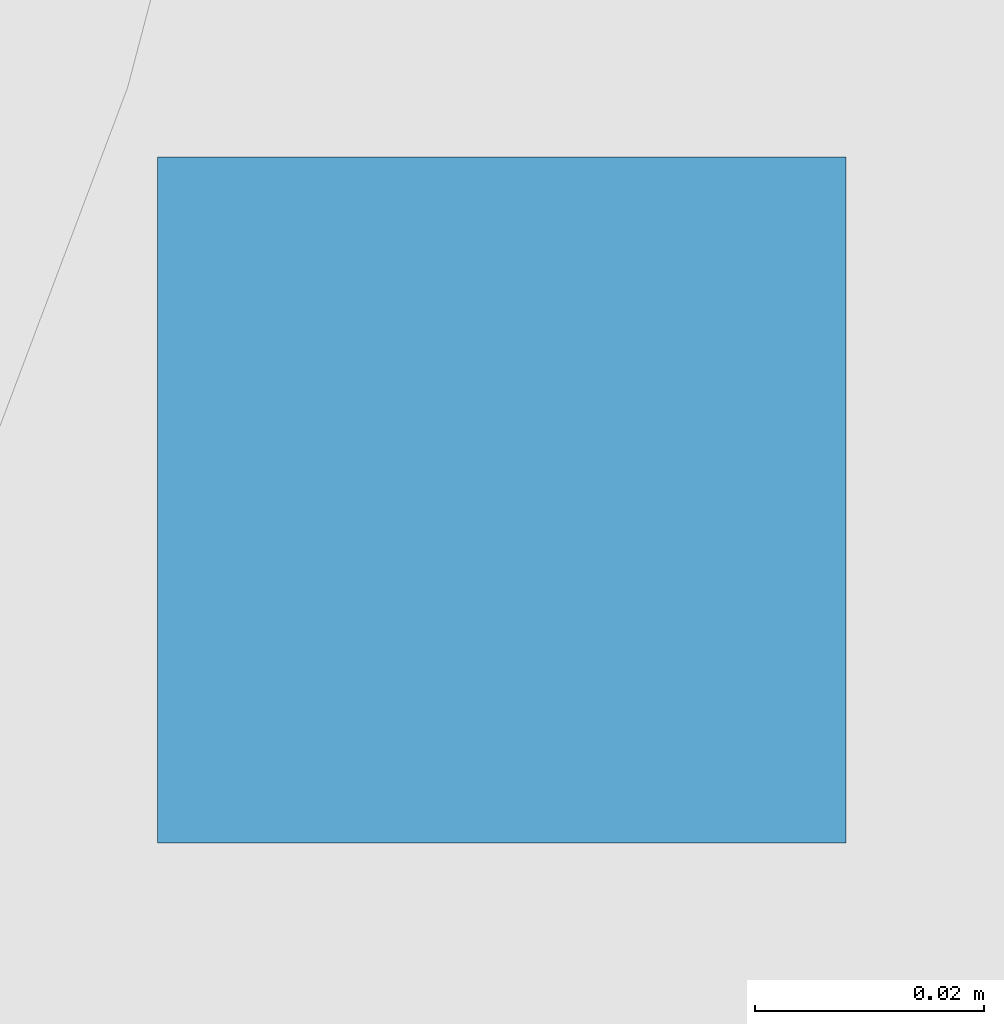
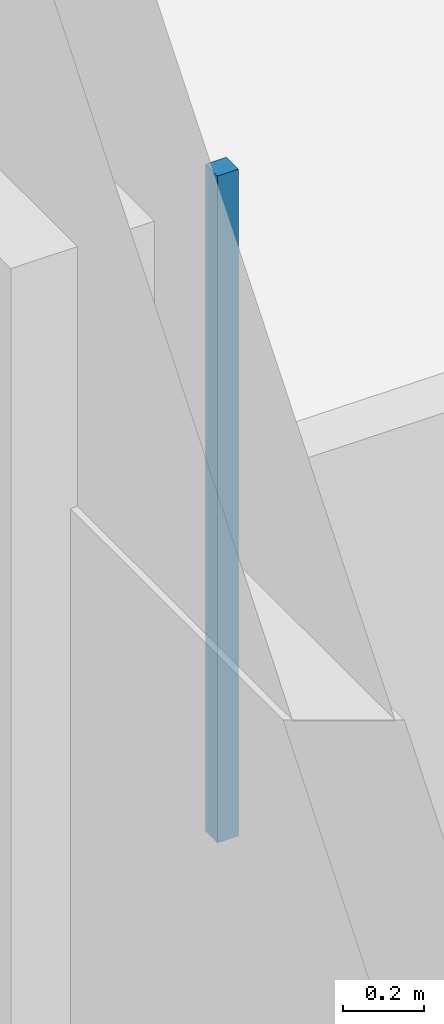
# One storey, part 74 of 111: 1 discrete accessory.
"""IFC4 building model written with IfcOpenShell, lengths in metres."""

import ifcopenshell
import ifcopenshell.guid

model = None  # the IFC model being written
_history = None  # IfcOwnerHistory: only IFC2X3 demands one
_inside = {}  # id of a spatial element -> (the spatial element, [elements in it])
_under = {}  # id of a project, library or spatial element -> (it, [spatial elements below it])
_declared = {}  # id of a project -> (the project, [libraries it declares])
_typed = {}  # id of a type object -> (the type object, [elements of that type])
_made_of = {}  # id of a material, layer set ... -> (it, [elements and type objects made of it])


def new_model(schema):
    """Start an empty IFC model of exactly this schema.

    Asked for "IFC4X3", IfcOpenShell would pick the latest addendum, in which some entities
    have other attributes; the version numbers below select the first issue.
    IFC2X3 requires an IfcOwnerHistory on every rooted entity: one is made here for all.
    """
    global model, _history
    if schema == "IFC4X3":
        model = ifcopenshell.file(schema_version=(4, 3, 0, 0))
    else:
        model = ifcopenshell.file(schema=schema)
    _inside.clear()
    _under.clear()
    _declared.clear()
    _typed.clear()
    _made_of.clear()
    _history = None
    if model.schema == "IFC2X3":
        org = make("IfcOrganization", Name="unknown")
        user = make(
            "IfcPersonAndOrganization",
            ThePerson=make("IfcPerson", FamilyName="unknown"),
            TheOrganization=org,
        )
        app = make(
            "IfcApplication",
            ApplicationDeveloper=org,
            Version="unknown",
            ApplicationFullName="unknown",
            ApplicationIdentifier="unknown",
        )
        _history = make(
            "IfcOwnerHistory",
            OwningUser=user,
            OwningApplication=app,
            ChangeAction="ADDED",
            CreationDate=0,
        )
    return model


def make(cls, **values):
    """One entity of the class cls with the attributes given. An attribute that is None is left unset."""
    return model.create_entity(
        cls, **{name: value for name, value in values.items() if value is not None}
    )


def rooted(cls, **values):
    """An entity with a GlobalId (a new one), such as an element, a storey or a relation."""
    return make(cls, GlobalId=ifcopenshell.guid.new(), OwnerHistory=_history, **values)


def si_unit(unit_type, name, prefix=None):
    """IfcSIUnit, for example si_unit("LENGTHUNIT", "METRE", prefix="MILLI")."""
    return make("IfcSIUnit", UnitType=unit_type, Prefix=prefix, Name=name)


def assignment(units):
    """IfcUnitAssignment: the units of a project."""
    return None if units is None else make("IfcUnitAssignment", Units=units)


def point(xyz):
    """IfcCartesianPoint."""
    return None if xyz is None else make("IfcCartesianPoint", Coordinates=xyz)


def direction(xyz):
    """IfcDirection."""
    return None if xyz is None else make("IfcDirection", DirectionRatios=xyz)


def frame(location, z_axis=None, x_axis=None):
    """IfcAxis2Placement3D, a coordinate frame: its origin and axes. An axis left out is left unset."""
    return make(
        "IfcAxis2Placement3D",
        Location=point(location),
        Axis=direction(z_axis),
        RefDirection=direction(x_axis),
    )


def origin():
    """The frame at (0, 0, 0) with its axes left unset."""
    return frame((0.0, 0.0, 0.0))


def place(relative_to, where):
    """IfcLocalPlacement: puts the frame where relative to a parent placement (None: the world)."""
    return make(
        "IfcLocalPlacement", PlacementRelTo=relative_to, RelativePlacement=where
    )


def context(
    kind, dimensions, precision=None, world=None, true_north=None, identifier=None
):
    """IfcGeometricRepresentationContext, for example the 3D "Model" context."""
    return make(
        "IfcGeometricRepresentationContext",
        ContextIdentifier=identifier,
        ContextType=kind,
        CoordinateSpaceDimension=dimensions,
        Precision=precision,
        WorldCoordinateSystem=world,
        TrueNorth=true_north,
    )


def subcontext(parent, identifier, kind, view, scale=None):
    """IfcGeometricRepresentationSubContext, for example "Body" below "Model"."""
    return make(
        "IfcGeometricRepresentationSubContext",
        ContextIdentifier=identifier,
        ContextType=kind,
        ParentContext=parent,
        TargetScale=scale,
        TargetView=view,
    )


def project(units=None, contexts=None):
    """IfcProject with its units and contexts."""
    return rooted(
        "IfcProject",
        Name="project",
        RepresentationContexts=contexts,
        UnitsInContext=assignment(units),
    )


def spatial(cls, under=None, at=None, **own):
    """A site, building, storey or space (cls), placed at a placement, below another one or the project."""
    s = rooted(cls, ObjectPlacement=at, **own)
    if under is not None:
        _under.setdefault(under.id(), (under, []))[1].append(s)
    return s


def polyline(points):
    """IfcPolyline through the points."""
    return make("IfcPolyline", Points=[point(p) for p in points])


def outline(outer, holes=None, kind="AREA"):
    """IfcArbitraryClosedProfileDef: a profile drawn as a closed curve; with holes, ...WithVoids."""
    if holes is None:
        return make("IfcArbitraryClosedProfileDef", ProfileType=kind, OuterCurve=outer)
    return make(
        "IfcArbitraryProfileDefWithVoids",
        ProfileType=kind,
        OuterCurve=outer,
        InnerCurves=holes,
    )


def extrude(swept, where, along, depth):
    """IfcExtrudedAreaSolid: the profile swept, set in the frame where, extruded along a direction by depth."""
    return make(
        "IfcExtrudedAreaSolid",
        SweptArea=swept,
        Position=where,
        ExtrudedDirection=direction(along),
        Depth=depth,
    )


def shape(context_of_items, identifier, shape_type, items):
    """IfcShapeRepresentation: the items that make up one representation, for example the "Body"."""
    return make(
        "IfcShapeRepresentation",
        ContextOfItems=context_of_items,
        RepresentationIdentifier=identifier,
        RepresentationType=shape_type,
        Items=items,
    )


def material(Name=None, Category=None):
    """IfcMaterial."""
    return make("IfcMaterial", Name=Name, Category=Category)


def made_of(thing, what):
    """Note that an element or type object is made of a material, layer set ...; save() writes the relation."""
    if what is not None:
        _made_of.setdefault(what.id(), (what, []))[1].append(thing)
    return thing


def type_object(cls, material=None, **own):
    """A type object (cls), such as IfcWallType, which elements share."""
    return made_of(rooted(cls, **own), material)


def element(
    cls,
    number,
    at=None,
    inside=None,
    cuts=None,
    type_object=None,
    material=None,
    context=None,
    identifier="Body",
    shape_type=None,
    held_by="IfcProductDefinitionShape",
    body=None,
    shapes=None,
    **own,
):
    """One element of the class cls, such as IfcWall. Its Tag is "e" and its number.

    at: its placement. inside: the storey or other place that contains it. cuts: it is an
    opening in that element (IfcRelVoidsElement). A single representation is given by context,
    identifier, shape_type and body (its items); several are given by shapes. held_by: the class
    of the entity that holds the representations. save() writes the other relations.
    """
    e = rooted(cls, Tag="e%d" % number, ObjectPlacement=at, **own)
    if body is not None:
        shapes = [shape(context, identifier, shape_type, body)]
    if shapes is not None:
        e.Representation = make(held_by, Representations=shapes)
    if inside is not None:
        _inside.setdefault(inside.id(), (inside, []))[1].append(e)
    if cuts is not None:
        rooted(
            "IfcRelVoidsElement", RelatingBuildingElement=cuts, RelatedOpeningElement=e
        )
    if type_object is not None:
        _typed.setdefault(type_object.id(), (type_object, []))[1].append(e)
    return made_of(e, material)


def aggregate(whole, parts):
    """IfcRelAggregates: a whole, such as a stair, and the parts it consists of."""
    return rooted("IfcRelAggregates", RelatingObject=whole, RelatedObjects=parts)


def save(model, path):
    """Write the relations noted so far, then the file.

    IfcRelAggregates (storeys below a building ...), IfcRelContainedInSpatialStructure (elements
    in a storey), IfcRelDefinesByType, IfcRelAssociatesMaterial and IfcRelDeclares: one each for
    every whole, place, type object, material and project.
    """
    for whole, parts in _under.values():
        aggregate(whole, parts)
    for where, things in _inside.values():
        rooted(
            "IfcRelContainedInSpatialStructure",
            RelatedElements=things,
            RelatingStructure=where,
        )
    for kind, things in _typed.values():
        rooted("IfcRelDefinesByType", RelatedObjects=things, RelatingType=kind)
    for what, things in _made_of.values():
        rooted("IfcRelAssociatesMaterial", RelatedObjects=things, RelatingMaterial=what)
    for by, libraries in _declared.values():
        rooted("IfcRelDeclares", RelatingContext=by, RelatedDefinitions=libraries)
    model.write(path)


model = new_model("IFC4")

# Units and contexts
model_context = context("Model", 3, precision=1e-05, world=origin(), true_north=direction((0.0, 1.0)))
body_context = subcontext(model_context, "Body", "Model", "MODEL_VIEW")
ifc_project = project(units=[si_unit("LENGTHUNIT", "METRE"), si_unit("AREAUNIT", "SQUARE_METRE"), si_unit("VOLUMEUNIT", "CUBIC_METRE"), si_unit("PLANEANGLEUNIT", "RADIAN"), si_unit("MASSUNIT", "GRAM", prefix="KILO")], contexts=[model_context])

# Site, building, storey
site_placement = place(None, origin())
site = spatial("IfcSite", under=ifc_project, at=site_placement, CompositionType="ELEMENT")
building_placement = place(site_placement, origin())
building = spatial("IfcBuilding", under=site, at=building_placement, Name="Dunescarp Central Library", CompositionType="ELEMENT")
storey_placement = place(building_placement, origin())
storey = spatial("IfcBuildingStorey", under=building, at=storey_placement, Name="L00", CompositionType="ELEMENT", Elevation=0.0)

# Discrete accessory
ifc_material = material(Name="Stainless steel Grade 316L", Category="steel")
discrete_accessory_type = type_object("IfcDiscreteAccessoryType", Name="ARC-ACC-BRK", PredefinedType="BRACKET", material=ifc_material)
discrete_accessory_placement = place(storey_placement, frame((0.0, 0.0, 3.06005859375)))
element("IfcDiscreteAccessory", 1, at=discrete_accessory_placement, inside=storey, type_object=discrete_accessory_type, Name="L00 ceiling hanger CLG-L00-156-H1", PredefinedType="BRACKET", context=body_context, shape_type="SweptSolid", body=[
    extrude(outline(polyline([(57.9599609375, 39.820068359375), (58.02001953125, 39.820068359375), (58.02001953125, 39.8798828125), (57.9599609375, 39.8798828125), (57.9599609375, 39.820068359375)])), origin(), (0.0, 0.0, 1.0), 2.015869140625),
])

save(model, "model.ifc")
